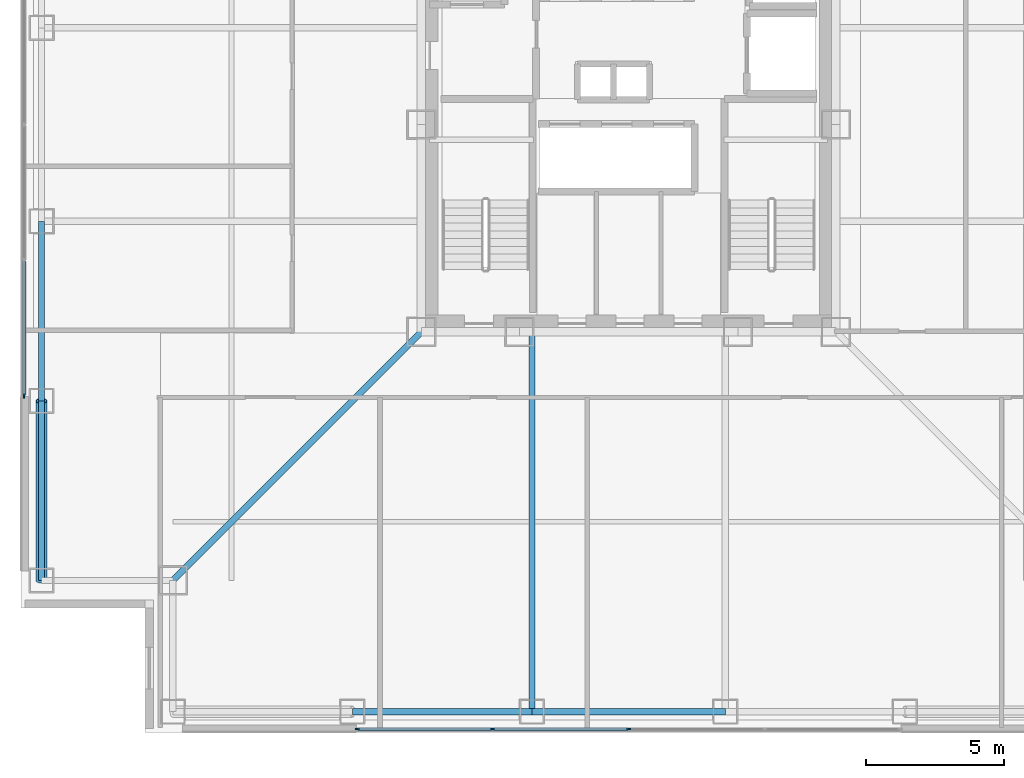
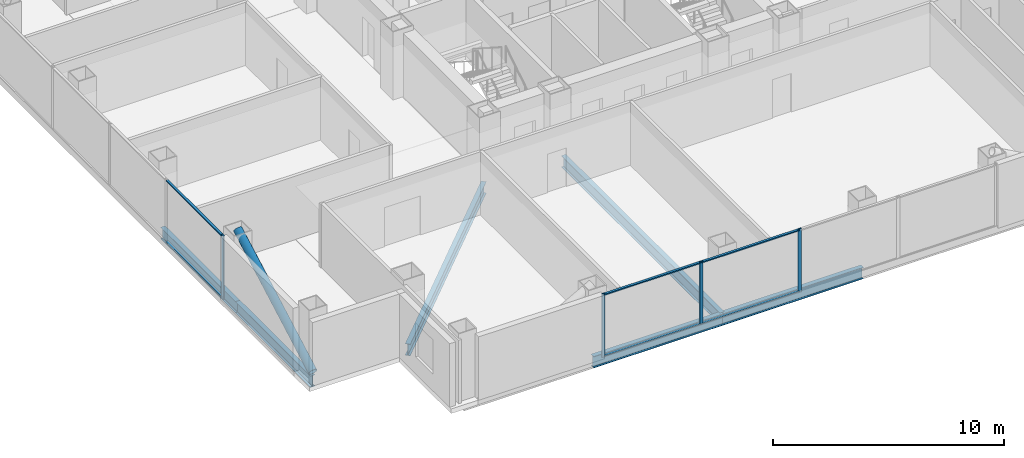
# One storey, part 2 of 16: 11 members, 6 beams, 2 elements without a shape of their own.
"""IFC4 building model written with IfcOpenShell, lengths in metres."""

from ifc_helpers import new_model, si_unit, direction, frame, origin, origin_2d, place, context, subcontext, project, spatial, rectangle, hollow_circle, i_section, extrude, material, layer, layer_set, material_profile, profile_set, type_object, element, aggregate, save


model = new_model("IFC4")

# Units and contexts
model_context = context("Model", 3, precision=1e-05, world=origin(), true_north=direction((0.0, 1.0)))
body_context = subcontext(model_context, "Body", "Model", "MODEL_VIEW")
ifc_project = project(units=[si_unit("LENGTHUNIT", "METRE"), si_unit("AREAUNIT", "SQUARE_METRE"), si_unit("VOLUMEUNIT", "CUBIC_METRE"), si_unit("PLANEANGLEUNIT", "RADIAN"), si_unit("MASSUNIT", "GRAM", prefix="KILO")], contexts=[model_context])

# Site, building, storey
site_placement = place(None, origin())
site = spatial("IfcSite", under=ifc_project, at=site_placement, CompositionType="ELEMENT")
building_placement = place(site_placement, origin())
building = spatial("IfcBuilding", under=site, at=building_placement, Name="Trevonay Congress Spire", CompositionType="ELEMENT")
storey_placement = place(building_placement, frame((0.0, 0.0, 101.199951171875)))
storey = spatial("IfcBuildingStorey", under=building, at=storey_placement, Name="L25", CompositionType="ELEMENT", Elevation=101.199951171875)

# Beams
ifc_material_1 = material(Name="Steel ASTM A572 Grade 50", Category="steel")
ifc_material_profile_1 = material_profile(ifc_material_1, i_section(OverallWidth=0.22998046875, OverallDepth=0.616943359375, WebThickness=0.01318359375, FlangeThickness=0.022216796875, FilletRadius=0.01611328125, at=origin_2d()), Name="W610x140")
ifc_profile_set_1 = profile_set([ifc_material_profile_1], Name="Steel ASTM A572 Grade 50")
beam_type_1 = type_object("IfcBeamType", Name="BM-GIRD-W610X140", PredefinedType="BEAM", material=ifc_profile_set_1)
beam_1_placement = place(storey_placement, frame((-7.5, -7.5, -0.54833984375), z_axis=(-0.707106781187, -0.707106781187, 0.0), x_axis=(0.707106781187, -0.707106781187, 0.0)))
element("IfcBeam", 1, at=beam_1_placement, inside=storey, type_object=beam_type_1, Name="L25 structural beam BM-L25-CDSW", PredefinedType="BEAM", context=body_context, shape_type="SweptSolid", body=[
    extrude(i_section(OverallWidth=0.22998046875, OverallDepth=0.616943359375, WebThickness=0.01318359375, FlangeThickness=0.022216796875, FilletRadius=0.01611328125, at=origin_2d()), origin(), (0.0, 0.0, 1.0), 12.72802734375),
])
beam_2_placement = place(storey_placement, frame((-3.5, -7.5, -0.54833984375), z_axis=(0.0, -1.0, 0.0), x_axis=(1.0, 0.0, 0.0)))
element("IfcBeam", 2, at=beam_2_placement, inside=storey, type_object=beam_type_1, Name="L25 structural beam BM-L25-GS-M", PredefinedType="BEAM", context=body_context, shape_type="SweptSolid", body=[
    extrude(i_section(OverallWidth=0.22998046875, OverallDepth=0.616943359375, WebThickness=0.01318359375, FlangeThickness=0.022216796875, FilletRadius=0.01611328125, at=origin_2d()), origin(), (0.0, 0.0, 1.0), 13.75),
])
ifc_material_profile_2 = material_profile(ifc_material_1, i_section(OverallWidth=0.22802734375, OverallDepth=0.60791015625, WebThickness=0.01123046875, FlangeThickness=0.017333984375, FilletRadius=0.01611328125, at=origin_2d()), Name="W610x113")
ifc_profile_set_2 = profile_set([ifc_material_profile_2], Name="Steel ASTM A572 Grade 50")
beam_type_2 = type_object("IfcBeamType", Name="BM-RING-W610X113", PredefinedType="BEAM", material=ifc_profile_set_2)
for number, where, z_axis, x_axis, name in (
    (3, (-21.25, -16.5, -0.5439453125), (0.0, 1.0, 0.0), (-1.0, 0.0, 0.0), "L25 structural beam BM-L25-PW1"),
    (4, (-10.0, -21.25, -0.5439453125), (1.0, 0.0, 0.0), (0.0, 1.0, 0.0), "L25 structural beam BM-L25-PS2"),
    (5, (-21.25, -10.0, -0.5439453125), (0.0, 1.0, 0.0), (-1.0, 0.0, 0.0), "L25 structural beam BM-L25-PW2"),
):
    element("IfcBeam", number, at=place(storey_placement, frame(where, z_axis=z_axis, x_axis=x_axis)), inside=storey, type_object=beam_type_2, Name=name, PredefinedType="BEAM", context=body_context, shape_type="SweptSolid", body=[
        extrude(i_section(OverallWidth=0.22802734375, OverallDepth=0.60791015625, WebThickness=0.01123046875, FlangeThickness=0.017333984375, FilletRadius=0.01611328125, at=origin_2d()), origin(), (0.0, 0.0, 1.0), 6.5),
    ])
beam_3_placement = place(storey_placement, frame((-3.5, -21.25, -0.5439453125), z_axis=(1.0, 0.0, 0.0), x_axis=(0.0, 1.0, 0.0)))
element("IfcBeam", 6, at=beam_3_placement, inside=storey, type_object=beam_type_2, Name="L25 structural beam BM-L25-PS3", PredefinedType="BEAM", context=body_context, shape_type="SweptSolid", body=[
    extrude(i_section(OverallWidth=0.22802734375, OverallDepth=0.60791015625, WebThickness=0.01123046875, FlangeThickness=0.017333984375, FilletRadius=0.01611328125, at=origin_2d()), origin(), (0.0, 0.0, 1.0), 7.0),
])

# Curtain wall, members
ifc_material_2 = material(Name="Pale Anodised Aluminium EN AW-6063-T6", Category="aluminium")
ifc_layer = layer(ifc_material_2, 0.175048828125, Name="Pale Anodised Aluminium EN AW-6063-T6")
ifc_layer_set = layer_set([ifc_layer], Name="Pale Anodised Aluminium EN AW-6063-T6")
curtain_wall_type = type_object("IfcCurtainWallType", Name="CW-SYS03-CONGRESS-PALE-METAL", PredefinedType="NOTDEFINED", material=ifc_layer_set)
curtain_wall_1_placement = place(storey_placement, origin())
curtain_wall_1 = element("IfcCurtainWall", 7, at=curtain_wall_1_placement, inside=storey, type_object=curtain_wall_type, Name="L25 S unitised curtain wall", PredefinedType="NOTDEFINED")
ifc_material_profile_3 = material_profile(ifc_material_2, rectangle(XDim=0.06005859375, YDim=0.159912109375, at=origin_2d()), Name="CW-MULLION-160-ALUMINIUM")
ifc_profile_set_3 = profile_set([ifc_material_profile_3], Name="Pale Anodised Aluminium EN AW-6063-T6")
member_type_1 = type_object("IfcMemberType", Name="CW-MULLION-160-ALUMINIUM", PredefinedType="MULLION", material=ifc_profile_set_3)
member_1_placement = place(storey_placement, frame((-9.820068359375, -21.8798828125, 0.0), z_axis=(0.0, 0.0, 1.0), x_axis=(0.0, 1.0, 0.0)))
member_1 = element("IfcMember", 8, at=member_1_placement, type_object=member_type_1, Name="CW03 mullion 1", PredefinedType="MULLION", context=body_context, shape_type="SweptSolid", body=[
    extrude(rectangle(XDim=0.06005859375, YDim=0.159912109375, at=origin_2d()), origin(), (0.0, 0.0, 1.0), 3.360107421875),
])
member_2_placement = place(storey_placement, frame((-4.925048828125, -21.8798828125, 0.0), z_axis=(0.0, 0.0, 1.0), x_axis=(0.0, 1.0, 0.0)))
member_2 = element("IfcMember", 9, at=member_2_placement, type_object=member_type_1, Name="CW03 mullion 2", PredefinedType="MULLION", context=body_context, shape_type="SweptSolid", body=[
    extrude(rectangle(XDim=0.06005859375, YDim=0.159912109375, at=origin_2d()), origin(), (0.0, 0.0, 1.0), 3.360107421875),
])
member_3_placement = place(storey_placement, frame((0.0, -21.8798828125, 0.0), z_axis=(0.0, 0.0, 1.0), x_axis=(0.0, 1.0, 0.0)))
member_3 = element("IfcMember", 10, at=member_3_placement, type_object=member_type_1, Name="CW03 mullion 3", PredefinedType="MULLION", context=body_context, shape_type="SweptSolid", body=[
    extrude(rectangle(XDim=0.06005859375, YDim=0.159912109375, at=origin_2d()), origin(), (0.0, 0.0, 1.0), 3.360107421875),
])

# Curtain wall, member
curtain_wall_2_placement = place(storey_placement, origin())
curtain_wall_2 = element("IfcCurtainWall", 11, at=curtain_wall_2_placement, inside=storey, type_object=curtain_wall_type, Name="L25 W unitised curtain wall", PredefinedType="NOTDEFINED")
member_4_placement = place(storey_placement, frame((-21.8798828125, -9.820068359375, 0.0), z_axis=(0.0, 0.0, 1.0), x_axis=(-1.0, 0.0, 0.0)))
member_4 = element("IfcMember", 12, at=member_4_placement, type_object=member_type_1, Name="CW03 mullion 1", PredefinedType="MULLION", context=body_context, shape_type="SweptSolid", body=[
    extrude(rectangle(XDim=0.06005859375, YDim=0.159912109375, at=origin_2d()), origin(), (0.0, 0.0, 1.0), 3.360107421875),
])

# Member
ifc_material_profile_4 = material_profile(ifc_material_2, rectangle(XDim=0.1201171875, YDim=0.06005859375, at=origin_2d()), Name="CW-TRANSOM-120-ALUMINIUM")
ifc_profile_set_4 = profile_set([ifc_material_profile_4], Name="Pale Anodised Aluminium EN AW-6063-T6")
member_type_2 = type_object("IfcMemberType", Name="CW-TRANSOM-120-ALUMINIUM", PredefinedType="USERDEFINED", material=ifc_profile_set_4)
member_5_placement = place(storey_placement, frame((-9.7900390625, -21.8798828125, 0.06005859375), z_axis=(1.0, 0.0, 0.0), x_axis=(0.0, 1.0, 0.0)))
member_5 = element("IfcMember", 13, at=member_5_placement, type_object=member_type_2, Name="CW03 transom 1.1", ObjectType="TRANSOM", PredefinedType="USERDEFINED", context=body_context, shape_type="SweptSolid", body=[
    extrude(rectangle(XDim=0.1201171875, YDim=0.06005859375, at=origin_2d()), origin(), (0.0, 0.0, 1.0), 4.8349609375),
])

member_6_placement = place(storey_placement, frame((-9.7900390625, -21.8798828125, 3.300048828125), z_axis=(1.0, 0.0, 0.0), x_axis=(0.0, 1.0, 0.0)))
member_6 = element("IfcMember", 14, at=member_6_placement, type_object=member_type_2, Name="CW03 transom 1.2", ObjectType="TRANSOM", PredefinedType="USERDEFINED", context=body_context, shape_type="SweptSolid", body=[
    extrude(rectangle(XDim=0.1201171875, YDim=0.06005859375, at=origin_2d()), origin(), (0.0, 0.0, 1.0), 4.8349609375),
])

member_7_placement = place(storey_placement, frame((-4.89501953125, -21.8798828125, 0.06005859375), z_axis=(1.0, 0.0, 0.0), x_axis=(0.0, 1.0, 0.0)))
member_7 = element("IfcMember", 15, at=member_7_placement, type_object=member_type_2, Name="CW03 transom 2.1", ObjectType="TRANSOM", PredefinedType="USERDEFINED", context=body_context, shape_type="SweptSolid", body=[
    extrude(rectangle(XDim=0.1201171875, YDim=0.06005859375, at=origin_2d()), origin(), (0.0, 0.0, 1.0), 4.864990234375),
])

member_8_placement = place(storey_placement, frame((-4.89501953125, -21.8798828125, 3.300048828125), z_axis=(1.0, 0.0, 0.0), x_axis=(0.0, 1.0, 0.0)))
member_8 = element("IfcMember", 16, at=member_8_placement, type_object=member_type_2, Name="CW03 transom 2.2", ObjectType="TRANSOM", PredefinedType="USERDEFINED", context=body_context, shape_type="SweptSolid", body=[
    extrude(rectangle(XDim=0.1201171875, YDim=0.06005859375, at=origin_2d()), origin(), (0.0, 0.0, 1.0), 4.864990234375),
])

aggregate(curtain_wall_1, [member_1, member_2, member_3, member_5, member_6, member_7, member_8])

member_9_placement = place(storey_placement, frame((-21.8798828125, -9.7900390625, 0.06005859375), z_axis=(0.0, 1.0, 0.0), x_axis=(-1.0, 0.0, 0.0)))
member_9 = element("IfcMember", 17, at=member_9_placement, type_object=member_type_2, Name="CW03 transom 1.1", ObjectType="TRANSOM", PredefinedType="USERDEFINED", context=body_context, shape_type="SweptSolid", body=[
    extrude(rectangle(XDim=0.1201171875, YDim=0.06005859375, at=origin_2d()), origin(), (0.0, 0.0, 1.0), 4.8349609375),
])

member_10_placement = place(storey_placement, frame((-21.8798828125, -9.7900390625, 3.300048828125), z_axis=(0.0, 1.0, 0.0), x_axis=(-1.0, 0.0, 0.0)))
member_10 = element("IfcMember", 18, at=member_10_placement, type_object=member_type_2, Name="CW03 transom 1.2", ObjectType="TRANSOM", PredefinedType="USERDEFINED", context=body_context, shape_type="SweptSolid", body=[
    extrude(rectangle(XDim=0.1201171875, YDim=0.06005859375, at=origin_2d()), origin(), (0.0, 0.0, 1.0), 4.8349609375),
])

aggregate(curtain_wall_2, [member_4, member_9, member_10])

ifc_material_3 = material(Name="Steel ASTM A500 Grade C", Category="steel")
ifc_material_profile_5 = material_profile(ifc_material_3, hollow_circle(Radius=0.203125, WallThickness=0.02001953125, at=origin_2d()), Name="CHS 406.4x20")
ifc_profile_set_5 = profile_set([ifc_material_profile_5], Name="Steel ASTM A500 Grade C")
member_type_3 = type_object("IfcMemberType", Name="MBR-TUBE-CHS406", PredefinedType="BRACE", material=ifc_profile_set_5)
member_11_placement = place(storey_placement, frame((-21.25, -16.5, -0.050048828125), z_axis=(0.0, 0.874785785626, 0.484509885623), x_axis=(-1.0, 0.0, 0.0)))
element("IfcMember", 19, at=member_11_placement, inside=storey, type_object=member_type_3, Name="L25 perimeter braced-tube diagonal W0", PredefinedType="BRACE", context=body_context, shape_type="SweptSolid", body=[
    extrude(hollow_circle(Radius=0.203125, WallThickness=0.02001953125, at=origin_2d()), origin(), (0.0, 0.0, 1.0), 7.430419921875),
])

save(model, "model.ifc")
